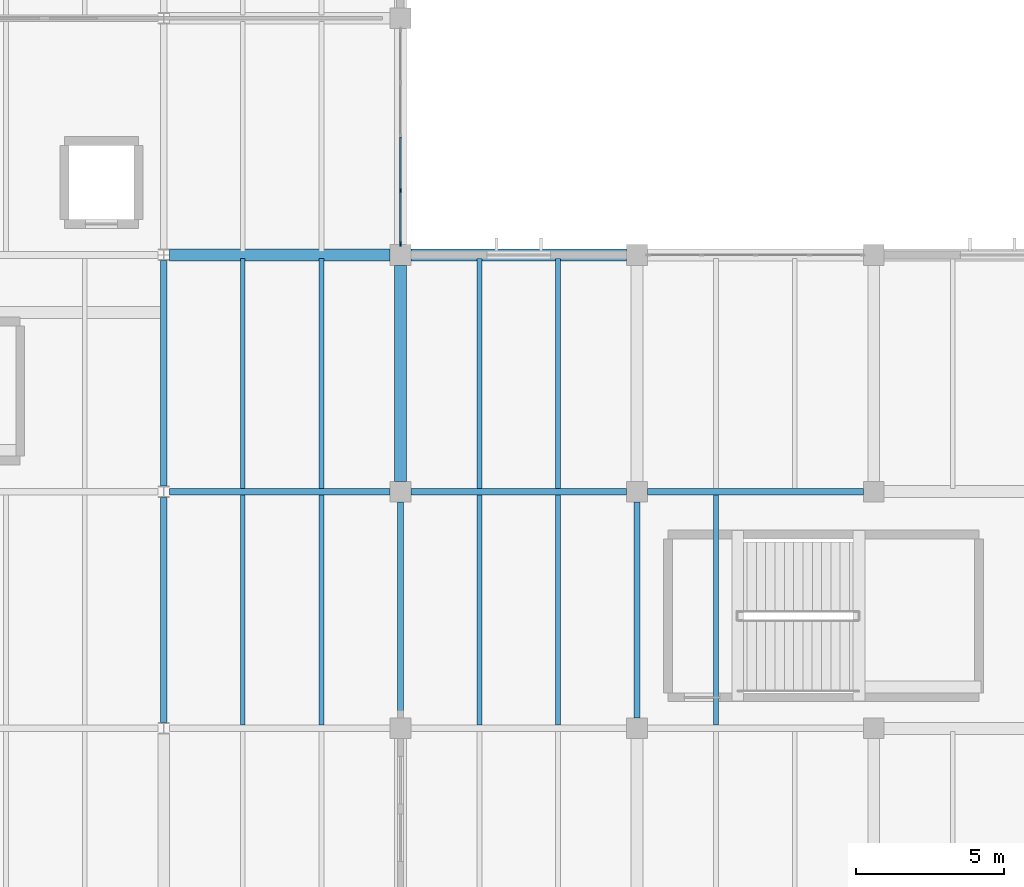
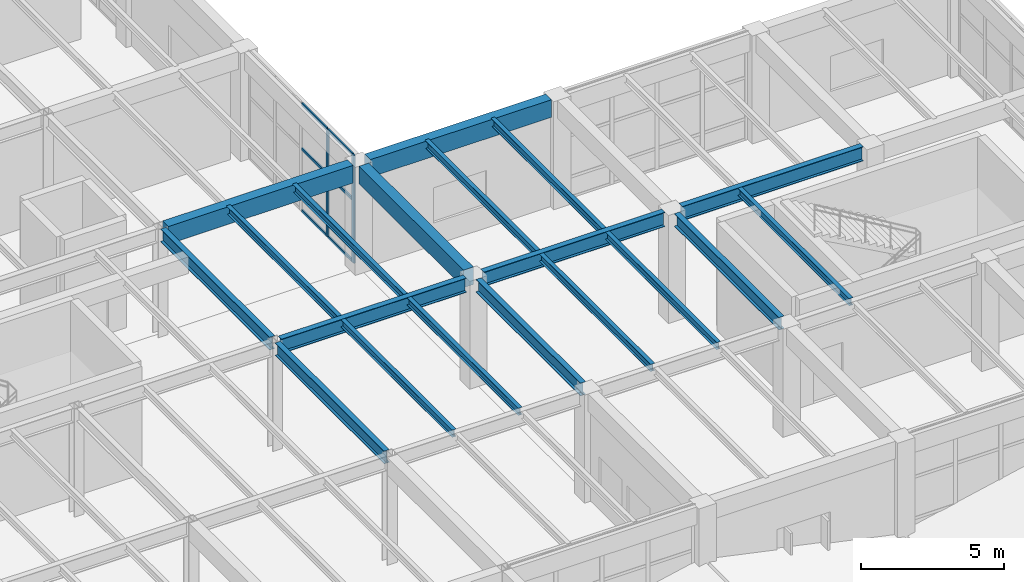
# One storey, part 28 of 60: 19 beams, 10 members, 1 element without a shape of its own.
"""IFC4 building model written with IfcOpenShell, lengths in metres."""

from ifc_helpers import new_model, si_unit, direction, frame, origin, origin_2d, place, context, subcontext, project, spatial, rectangle, i_section, extrude, material, layer, layer_set, material_profile, profile_set, type_object, element, aggregate, save


model = new_model("IFC4")

# Units and contexts
model_context = context("Model", 3, precision=1e-05, world=origin(), true_north=direction((0.0, 1.0)))
body_context = subcontext(model_context, "Body", "Model", "MODEL_VIEW")
ifc_project = project(units=[si_unit("LENGTHUNIT", "METRE"), si_unit("AREAUNIT", "SQUARE_METRE"), si_unit("VOLUMEUNIT", "CUBIC_METRE"), si_unit("PLANEANGLEUNIT", "RADIAN"), si_unit("MASSUNIT", "GRAM", prefix="KILO")], contexts=[model_context])

# Site, building, storey
site_placement = place(None, origin())
site = spatial("IfcSite", under=ifc_project, at=site_placement, CompositionType="ELEMENT")
building_placement = place(site_placement, origin())
building = spatial("IfcBuilding", under=site, at=building_placement, Name="Varnela Railside Interchange", CompositionType="ELEMENT")
storey_placement = place(building_placement, frame((0.0, 0.0, 6.300048828125)))
storey = spatial("IfcBuildingStorey", under=building, at=storey_placement, Name="L01", CompositionType="ELEMENT", Elevation=6.300048828125)

# Beams
ifc_material_1 = material(Name="Steel AR 350 (350 MPa)", Category="steel")
ifc_material_profile_1 = material_profile(ifc_material_1, i_section(OverallWidth=0.1650390625, OverallDepth=0.31005859375, WebThickness=0.005859375, FlangeThickness=0.009765625, at=origin_2d()), Name="W310x38.7")
ifc_profile_set_1 = profile_set([ifc_material_profile_1], Name="Steel AR 350 (350 MPa)")
beam_type_1 = type_object("IfcBeamType", Name="Composite Floor Joist J-04", PredefinedType="JOIST", material=ifc_profile_set_1)
for number, where, z_axis, x_axis, name in (
    (1, (134.669921875, 46.114501953125, 4.445068359375), (0.0, 1.0, 0.0), (-1.0, 0.0, 0.0), "Composite Floor Joist J-04 (L01) (BM-1512)"),
    (2, (137.330078125, 46.114501953125, 4.445068359375), (0.0, 1.0, 0.0), (-1.0, 0.0, 0.0), "Composite Floor Joist J-04 (L01) (BM-1513)"),
    (3, (134.669921875, 54.114501953125, 4.445068359375), (0.0, 1.0, 0.0), (-1.0, 0.0, 0.0), "Composite Floor Joist J-04 (L01) (BM-1514)"),
    (4, (137.330078125, 54.114501953125, 4.445068359375), (0.0, 1.0, 0.0), (-1.0, 0.0, 0.0), "Composite Floor Joist J-04 (L01) (BM-1515)"),
    (5, (142.669921875, 46.114501953125, 4.445068359375), (0.0, 1.0, 0.0), (-1.0, 0.0, 0.0), "Composite Floor Joist J-04 (L01) (BM-1522)"),
    (6, (145.330078125, 46.114501953125, 4.445068359375), (0.0, 1.0, 0.0), (-1.0, 0.0, 0.0), "Composite Floor Joist J-04 (L01) (BM-1523)"),
    (7, (142.669921875, 54.114501953125, 4.445068359375), (0.0, 1.0, 0.0), (-1.0, 0.0, 0.0), "Composite Floor Joist J-04 (L01) (BM-1524)"),
    (8, (145.330078125, 54.114501953125, 4.445068359375), (0.0, 1.0, 0.0), (-1.0, 0.0, 0.0), "Composite Floor Joist J-04 (L01) (BM-1525)"),
    (9, (150.669921875, 46.114501953125, 4.445068359375), (0.0, 1.0, 0.0), (-1.0, 0.0, 0.0), "Composite Floor Joist J-04 (L01) (BM-1528)"),
):
    element("IfcBeam", number, at=place(storey_placement, frame(where, z_axis=z_axis, x_axis=x_axis)), inside=storey, type_object=beam_type_1, Name=name, PredefinedType="JOIST", context=body_context, shape_type="SweptSolid", body=[
        extrude(i_section(OverallWidth=0.1650390625, OverallDepth=0.31005859375, WebThickness=0.005859375, FlangeThickness=0.009765625, at=origin_2d()), origin(), (0.0, 0.0, 1.0), 7.77099609375),
    ])
ifc_material_profile_2 = material_profile(ifc_material_1, i_section(OverallWidth=0.2119140625, OverallDepth=0.5439453125, WebThickness=0.01318359375, FlangeThickness=0.021240234375, at=origin_2d()), Name="W530x123")
ifc_profile_set_2 = profile_set([ifc_material_profile_2], Name="Steel AR 350 (350 MPa)")
beam_type_2 = type_object("IfcBeamType", Name="Composite Heavy Girder B-16", PredefinedType="BEAM", material=ifc_profile_set_2)
for number, where, z_axis, x_axis, name in (
    (10, (132.0, 46.193603515625, 4.327880859375), (0.0, 1.0, 0.0), (-1.0, 0.0, 0.0), "Composite Heavy Girder B-16 (L01) (BM-1723)"),
    (11, (132.0, 54.193603515625, 4.327880859375), (0.0, 1.0, 0.0), (-1.0, 0.0, 0.0), "Composite Heavy Girder B-16 (L01) (BM-1724)"),
):
    element("IfcBeam", number, at=place(storey_placement, frame(where, z_axis=z_axis, x_axis=x_axis)), inside=storey, type_object=beam_type_2, Name=name, PredefinedType="BEAM", context=body_context, shape_type="SweptSolid", body=[
        extrude(i_section(OverallWidth=0.2119140625, OverallDepth=0.5439453125, WebThickness=0.01318359375, FlangeThickness=0.021240234375, at=origin_2d()), origin(), (0.0, 0.0, 1.0), 7.61279296875),
    ])
for number, where, z_axis, x_axis, name in (
    (12, (140.0, 46.35009765625, 4.327880859375), (0.0, 1.0, 0.0), (-1.0, 0.0, 0.0), "Composite Heavy Girder B-16 (L01) (BM-1729)"),
    (13, (148.0, 46.35009765625, 4.327880859375), (0.0, 1.0, 0.0), (-1.0, 0.0, 0.0), "Composite Heavy Girder B-16 (L01) (BM-1736)"),
):
    element("IfcBeam", number, at=place(storey_placement, frame(where, z_axis=z_axis, x_axis=x_axis)), inside=storey, type_object=beam_type_2, Name=name, PredefinedType="BEAM", context=body_context, shape_type="SweptSolid", body=[
        extrude(i_section(OverallWidth=0.2119140625, OverallDepth=0.5439453125, WebThickness=0.01318359375, FlangeThickness=0.021240234375, at=origin_2d()), origin(), (0.0, 0.0, 1.0), 7.2998046875),
    ])

# Curtain wall, members
ifc_material_2 = material(Name="Aluminium 6063-T6", Category="aluminium")
ifc_layer = layer(ifc_material_2, 0.035888671875)
ifc_layer_set = layer_set([ifc_layer], Name="Aluminium 6063-T6")
curtain_wall_type = type_object("IfcCurtainWallType", Name="Study Pavilion Gallery Curtain Wall CW-02", PredefinedType="USERDEFINED", material=ifc_layer_set)
curtain_wall_placement = place(storey_placement, origin())
curtain_wall = element("IfcCurtainWall", 14, at=curtain_wall_placement, inside=storey, type_object=curtain_wall_type, Name="Curtain Wall CW-02 (L01) (CW-035)", ObjectType="CURTAIN WALL", PredefinedType="USERDEFINED")
ifc_material_profile_3 = material_profile(ifc_material_2, rectangle(XDim=0.06005859375, YDim=0.159912109375, at=origin_2d()), Name="ALU 60x160")
ifc_profile_set_3 = profile_set([ifc_material_profile_3], Name="Aluminium 6063-T6")
member_type_1 = type_object("IfcMemberType", Name="Curtain Wall Mullion ML-02", PredefinedType="MULLION", material=ifc_profile_set_3)
member_1_placement = place(storey_placement, frame((140.0, 64.175048828125, 0.0), z_axis=(0.0, 0.0, 1.0), x_axis=(1.0, 0.0, 0.0)))
member_1 = element("IfcMember", 15, at=member_1_placement, type_object=member_type_1, Name="CW-02 mullion 4", PredefinedType="MULLION", context=body_context, shape_type="SweptSolid", body=[
    extrude(rectangle(XDim=0.06005859375, YDim=0.159912109375, at=origin_2d()), origin(), (0.0, 0.0, 1.0), 4.599853515625),
])
member_2_placement = place(storey_placement, frame((140.0, 62.3798828125, 0.0), z_axis=(0.0, 0.0, 1.0), x_axis=(1.0, 0.0, 0.0)))
member_2 = element("IfcMember", 16, at=member_2_placement, type_object=member_type_1, Name="CW-02 mullion 5", PredefinedType="MULLION", context=body_context, shape_type="SweptSolid", body=[
    extrude(rectangle(XDim=0.06005859375, YDim=0.159912109375, at=origin_2d()), origin(), (0.0, 0.0, 1.0), 4.599853515625),
])
ifc_material_profile_4 = material_profile(ifc_material_2, rectangle(XDim=0.06005859375, YDim=0.1201171875, at=origin_2d()), Name="ALU 60x120")
ifc_profile_set_4 = profile_set([ifc_material_profile_4], Name="Aluminium 6063-T6")
member_type_2 = type_object("IfcMemberType", Name="Curtain Wall Transom TR-02", PredefinedType="USERDEFINED", material=ifc_profile_set_4)
member_3_placement = place(storey_placement, frame((140.0, 65.969970703125, 0.030029296875), z_axis=(0.0, -1.0, 0.0), x_axis=(1.0, 0.0, 0.0)))
member_3 = element("IfcMember", 17, at=member_3_placement, type_object=member_type_2, Name="CW-02 transom 3.1", ObjectType="TRANSOM", PredefinedType="USERDEFINED", context=body_context, shape_type="SweptSolid", body=[
    extrude(rectangle(XDim=0.06005859375, YDim=0.1201171875, at=origin_2d()), origin(), (0.0, 0.0, 1.0), 1.764892578125),
])
member_4_placement = place(storey_placement, frame((140.0, 65.969970703125, 0.89990234375), z_axis=(0.0, -1.0, 0.0), x_axis=(1.0, 0.0, 0.0)))
member_4 = element("IfcMember", 18, at=member_4_placement, type_object=member_type_2, Name="CW-02 transom 3.2", ObjectType="TRANSOM", PredefinedType="USERDEFINED", context=body_context, shape_type="SweptSolid", body=[
    extrude(rectangle(XDim=0.06005859375, YDim=0.1201171875, at=origin_2d()), origin(), (0.0, 0.0, 1.0), 1.764892578125),
])
member_5_placement = place(storey_placement, frame((140.0, 65.969970703125, 2.66796875), z_axis=(0.0, -1.0, 0.0), x_axis=(1.0, 0.0, 0.0)))
member_5 = element("IfcMember", 19, at=member_5_placement, type_object=member_type_2, Name="CW-02 transom 3.3", ObjectType="TRANSOM", PredefinedType="USERDEFINED", context=body_context, shape_type="SweptSolid", body=[
    extrude(rectangle(XDim=0.06005859375, YDim=0.1201171875, at=origin_2d()), origin(), (0.0, 0.0, 1.0), 1.764892578125),
])
member_6_placement = place(storey_placement, frame((140.0, 65.969970703125, 4.570068359375), z_axis=(0.0, -1.0, 0.0), x_axis=(1.0, 0.0, 0.0)))
member_6 = element("IfcMember", 20, at=member_6_placement, type_object=member_type_2, Name="CW-02 transom 3.4", ObjectType="TRANSOM", PredefinedType="USERDEFINED", context=body_context, shape_type="SweptSolid", body=[
    extrude(rectangle(XDim=0.06005859375, YDim=0.1201171875, at=origin_2d()), origin(), (0.0, 0.0, 1.0), 1.764892578125),
])
member_7_placement = place(storey_placement, frame((140.0, 64.14501953125, 0.030029296875), z_axis=(0.0, -1.0, 0.0), x_axis=(1.0, 0.0, 0.0)))
member_7 = element("IfcMember", 21, at=member_7_placement, type_object=member_type_2, Name="CW-02 transom 4.1", ObjectType="TRANSOM", PredefinedType="USERDEFINED", context=body_context, shape_type="SweptSolid", body=[
    extrude(rectangle(XDim=0.06005859375, YDim=0.1201171875, at=origin_2d()), origin(), (0.0, 0.0, 1.0), 1.735107421875),
])
member_8_placement = place(storey_placement, frame((140.0, 64.14501953125, 0.89990234375), z_axis=(0.0, -1.0, 0.0), x_axis=(1.0, 0.0, 0.0)))
member_8 = element("IfcMember", 22, at=member_8_placement, type_object=member_type_2, Name="CW-02 transom 4.2", ObjectType="TRANSOM", PredefinedType="USERDEFINED", context=body_context, shape_type="SweptSolid", body=[
    extrude(rectangle(XDim=0.06005859375, YDim=0.1201171875, at=origin_2d()), origin(), (0.0, 0.0, 1.0), 1.735107421875),
])
member_9_placement = place(storey_placement, frame((140.0, 64.14501953125, 2.66796875), z_axis=(0.0, -1.0, 0.0), x_axis=(1.0, 0.0, 0.0)))
member_9 = element("IfcMember", 23, at=member_9_placement, type_object=member_type_2, Name="CW-02 transom 4.3", ObjectType="TRANSOM", PredefinedType="USERDEFINED", context=body_context, shape_type="SweptSolid", body=[
    extrude(rectangle(XDim=0.06005859375, YDim=0.1201171875, at=origin_2d()), origin(), (0.0, 0.0, 1.0), 1.735107421875),
])
member_10_placement = place(storey_placement, frame((140.0, 64.14501953125, 4.570068359375), z_axis=(0.0, -1.0, 0.0), x_axis=(1.0, 0.0, 0.0)))
member_10 = element("IfcMember", 24, at=member_10_placement, type_object=member_type_2, Name="CW-02 transom 4.4", ObjectType="TRANSOM", PredefinedType="USERDEFINED", context=body_context, shape_type="SweptSolid", body=[
    extrude(rectangle(XDim=0.06005859375, YDim=0.1201171875, at=origin_2d()), origin(), (0.0, 0.0, 1.0), 1.735107421875),
])
aggregate(curtain_wall, [member_1, member_2, member_3, member_4, member_5, member_6, member_7, member_8, member_9, member_10])

# Beams
ifc_material_profile_5 = material_profile(ifc_material_1, i_section(OverallWidth=0.22900390625, OverallDepth=0.612060546875, WebThickness=0.011962890625, FlangeThickness=0.01953125, at=origin_2d()), Name="W610x125")
ifc_profile_set_5 = profile_set([ifc_material_profile_5], Name="Steel AR 350 (350 MPa)")
beam_type_3 = type_object("IfcBeamType", Name="Podium Composite Girder B-15", PredefinedType="BEAM", material=ifc_profile_set_5)
beam_1_placement = place(storey_placement, frame((132.198974609375, 54.0, 4.2939453125), z_axis=(1.0, 0.0, 0.0), x_axis=(0.0, 1.0, 0.0)))
element("IfcBeam", 25, at=beam_1_placement, inside=storey, type_object=beam_type_3, Name="Podium Composite Girder B-15 (L01) (BM-1647)", PredefinedType="BEAM", context=body_context, shape_type="SweptSolid", body=[
    extrude(i_section(OverallWidth=0.22900390625, OverallDepth=0.612060546875, WebThickness=0.011962890625, FlangeThickness=0.01953125, at=origin_2d()), origin(), (0.0, 0.0, 1.0), 7.450927734375),
])
for number, where, z_axis, x_axis, name in (
    (26, (140.35009765625, 54.0, 4.2939453125), (1.0, 0.0, 0.0), (0.0, 1.0, 0.0), "Podium Composite Girder B-15 (L01) (BM-1648)"),
    (27, (148.35009765625, 54.0, 4.2939453125), (1.0, 0.0, 0.0), (0.0, 1.0, 0.0), "Podium Composite Girder B-15 (L01) (BM-1649)"),
):
    element("IfcBeam", number, at=place(storey_placement, frame(where, z_axis=z_axis, x_axis=x_axis)), inside=storey, type_object=beam_type_3, Name=name, PredefinedType="BEAM", context=body_context, shape_type="SweptSolid", body=[
        extrude(i_section(OverallWidth=0.22900390625, OverallDepth=0.612060546875, WebThickness=0.011962890625, FlangeThickness=0.01953125, at=origin_2d()), origin(), (0.0, 0.0, 1.0), 7.2998046875),
    ])
ifc_material_3 = material(Name="Concrete C40 precast", Category="concrete")
ifc_material_profile_6 = material_profile(ifc_material_3, rectangle(XDim=0.39990234375, YDim=0.75, at=origin_2d()), Name="PC 400x750")
ifc_profile_set_6 = profile_set([ifc_material_profile_6], Name="Concrete C40 precast")
beam_type_4 = type_object("IfcBeamType", Name="Precast Facade Spandrel SP-03", PredefinedType="SPANDREL", material=ifc_profile_set_6)
beam_2_placement = place(storey_placement, frame((132.198974609375, 62.0, 4.224853515625), z_axis=(1.0, 0.0, 0.0), x_axis=(0.0, 1.0, 0.0)))
element("IfcBeam", 28, at=beam_2_placement, inside=storey, type_object=beam_type_4, Name="Precast Facade Spandrel SP-03 (L01) (BM-1660)", PredefinedType="SPANDREL", context=body_context, shape_type="SweptSolid", body=[
    extrude(rectangle(XDim=0.39990234375, YDim=0.75, at=origin_2d()), origin(), (0.0, 0.0, 1.0), 7.450927734375),
])
for number, where, z_axis, x_axis, name in (
    (29, (140.35009765625, 62.0, 4.224853515625), (1.0, 0.0, 0.0), (0.0, 1.0, 0.0), "Precast Facade Spandrel SP-03 (L01) (BM-1661)"),
    (30, (140.0, 54.35009765625, 4.224853515625), (0.0, 1.0, 0.0), (-1.0, 0.0, 0.0), "Precast Facade Spandrel SP-03 (L01) (BM-1730)"),
):
    element("IfcBeam", number, at=place(storey_placement, frame(where, z_axis=z_axis, x_axis=x_axis)), inside=storey, type_object=beam_type_4, Name=name, PredefinedType="SPANDREL", context=body_context, shape_type="SweptSolid", body=[
        extrude(rectangle(XDim=0.39990234375, YDim=0.75, at=origin_2d()), origin(), (0.0, 0.0, 1.0), 7.2998046875),
    ])

save(model, "model.ifc")
